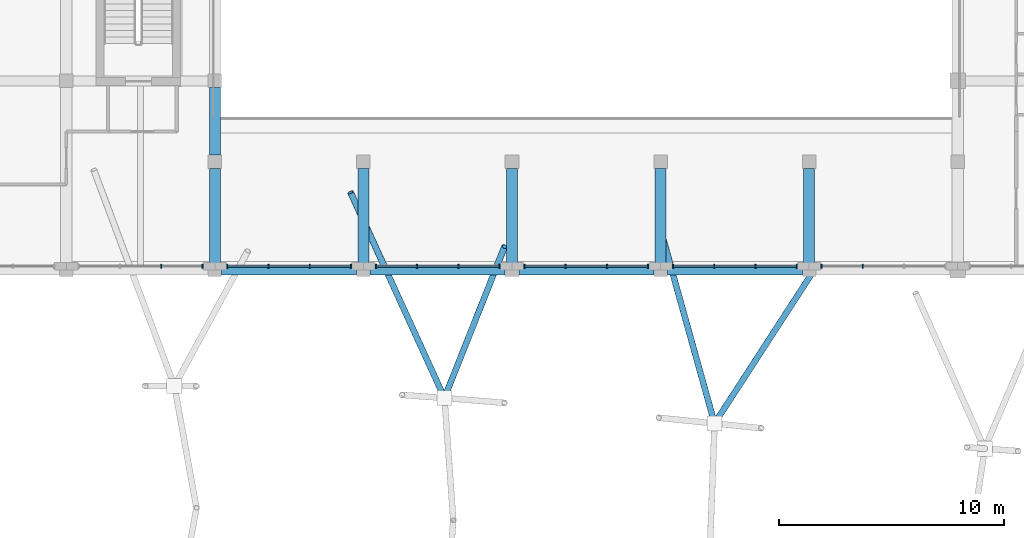
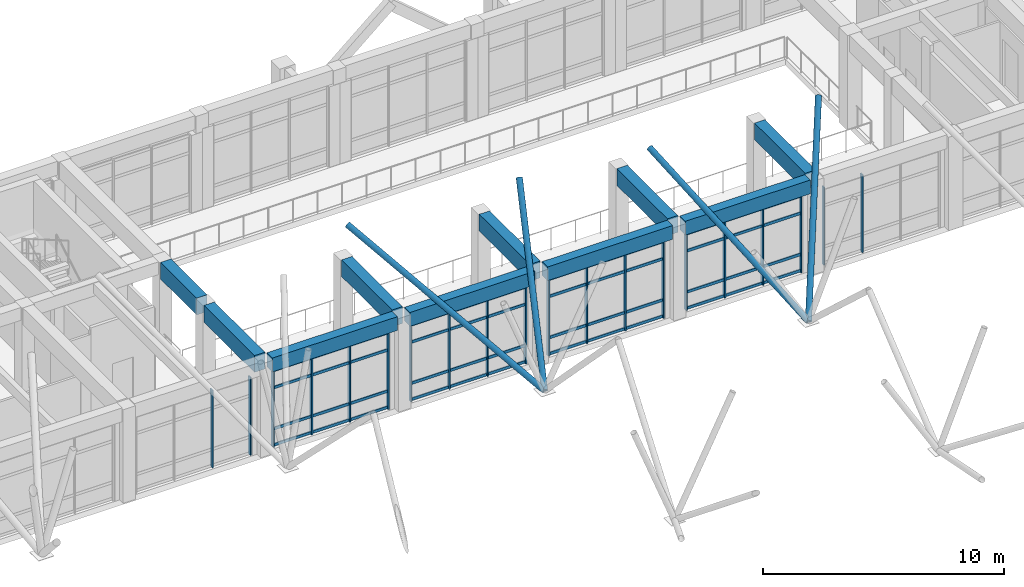
# One storey, part 19 of 75: 40 members, 10 beams, 6 elements without a shape of their own.
"""IFC4 building model written with IfcOpenShell, lengths in metres."""

from ifc_helpers import new_model, si_unit, direction, frame, origin, origin_2d, place, context, subcontext, project, spatial, rectangle, hollow_circle, extrude, material, layer, layer_set, material_profile, profile_set, type_object, element, aggregate, save


model = new_model("IFC4")

# Units and contexts
model_context = context("Model", 3, precision=1e-05, world=origin(), true_north=direction((0.0, 1.0)))
body_context = subcontext(model_context, "Body", "Model", "MODEL_VIEW")
ifc_project = project(units=[si_unit("LENGTHUNIT", "METRE"), si_unit("AREAUNIT", "SQUARE_METRE"), si_unit("VOLUMEUNIT", "CUBIC_METRE"), si_unit("PLANEANGLEUNIT", "RADIAN"), si_unit("MASSUNIT", "GRAM", prefix="KILO")], contexts=[model_context])

# Site, building, storey
site_placement = place(None, origin())
site = spatial("IfcSite", under=ifc_project, at=site_placement, CompositionType="ELEMENT")
building_placement = place(site_placement, origin())
building = spatial("IfcBuilding", under=site, at=building_placement, Name="Kolvaren Faculty of Natural Sciences", CompositionType="ELEMENT")
storey_placement = place(building_placement, frame((0.0, 0.0, 5.39990234375)))
storey = spatial("IfcBuildingStorey", under=building, at=storey_placement, Name="L01", CompositionType="ELEMENT", Elevation=5.39990234375)

# Curtain wall, members
ifc_material_1 = material(Name="Thermally broken anodised aluminium framing", Category="aluminium")
ifc_layer = layer(ifc_material_1, 0.179931640625)
ifc_layer_set = layer_set([ifc_layer], Name="Thermally broken anodised aluminium framing")
curtain_wall_type = type_object("IfcCurtainWallType", Name="AtriumCurtainWall_CW01", PredefinedType="NOTDEFINED", material=ifc_layer_set)
curtain_wall_1_placement = place(storey_placement, origin())
curtain_wall_1 = element("IfcCurtainWall", 1, at=curtain_wall_1_placement, inside=storey, type_object=curtain_wall_type, Name="L01 unitised curtain wall CW-01 (CW-L01-063)", PredefinedType="NOTDEFINED")
ifc_material_profile_1 = material_profile(ifc_material_1, rectangle(XDim=0.06005859375, YDim=0.179931640625, at=origin_2d()), Name="ALU MUL 60x180")
ifc_profile_set_1 = profile_set([ifc_material_profile_1], Name="Thermally broken anodised aluminium framing")
member_type_1 = type_object("IfcMemberType", Name="CurtainMullion_60x180", PredefinedType="MULLION", material=ifc_profile_set_1)
member_1_placement = place(storey_placement, frame((94.9833984375, 67.56005859375, 0.0), z_axis=(0.0, 0.0, 1.0), x_axis=(-1.0, 0.0, 0.0)))
member_1 = element("IfcMember", 2, at=member_1_placement, type_object=member_type_1, Name="CW-L01-063 vertical mullion 3", PredefinedType="MULLION", context=body_context, shape_type="SweptSolid", body=[
    extrude(rectangle(XDim=0.06005859375, YDim=0.179931640625, at=origin_2d()), origin(), (0.0, 0.0, 1.0), 3.93505859375),
])
member_2_placement = place(storey_placement, frame((93.14990234375, 67.56005859375, 0.0), z_axis=(0.0, 0.0, 1.0), x_axis=(-1.0, 0.0, 0.0)))
member_2 = element("IfcMember", 3, at=member_2_placement, type_object=member_type_1, Name="CW-L01-063 vertical mullion 4", PredefinedType="MULLION", context=body_context, shape_type="SweptSolid", body=[
    extrude(rectangle(XDim=0.06005859375, YDim=0.179931640625, at=origin_2d()), origin(), (0.0, 0.0, 1.0), 3.93505859375),
])
aggregate(curtain_wall_1, [member_1, member_2])

curtain_wall_2_placement = place(storey_placement, origin())
curtain_wall_2 = element("IfcCurtainWall", 4, at=curtain_wall_2_placement, inside=storey, type_object=curtain_wall_type, Name="L01 unitised curtain wall CW-01 (CW-L01-064)", PredefinedType="NOTDEFINED")
member_3_placement = place(storey_placement, frame((92.050048828125, 67.56005859375, 0.0), z_axis=(0.0, 0.0, 1.0), x_axis=(-1.0, 0.0, 0.0)))
member_3 = element("IfcMember", 5, at=member_3_placement, type_object=member_type_1, Name="CW-L01-064 vertical mullion 1", PredefinedType="MULLION", context=body_context, shape_type="SweptSolid", body=[
    extrude(rectangle(XDim=0.06005859375, YDim=0.179931640625, at=origin_2d()), origin(), (0.0, 0.0, 1.0), 3.93505859375),
])
member_4_placement = place(storey_placement, frame((90.216796875, 67.56005859375, 0.0), z_axis=(0.0, 0.0, 1.0), x_axis=(-1.0, 0.0, 0.0)))
member_4 = element("IfcMember", 6, at=member_4_placement, type_object=member_type_1, Name="CW-L01-064 vertical mullion 2", PredefinedType="MULLION", context=body_context, shape_type="SweptSolid", body=[
    extrude(rectangle(XDim=0.06005859375, YDim=0.179931640625, at=origin_2d()), origin(), (0.0, 0.0, 1.0), 3.93505859375),
])
member_5_placement = place(storey_placement, frame((88.38330078125, 67.56005859375, 0.0), z_axis=(0.0, 0.0, 1.0), x_axis=(-1.0, 0.0, 0.0)))
member_5 = element("IfcMember", 7, at=member_5_placement, type_object=member_type_1, Name="CW-L01-064 vertical mullion 3", PredefinedType="MULLION", context=body_context, shape_type="SweptSolid", body=[
    extrude(rectangle(XDim=0.06005859375, YDim=0.179931640625, at=origin_2d()), origin(), (0.0, 0.0, 1.0), 3.93505859375),
])
member_6_placement = place(storey_placement, frame((86.550048828125, 67.56005859375, 0.0), z_axis=(0.0, 0.0, 1.0), x_axis=(-1.0, 0.0, 0.0)))
member_6 = element("IfcMember", 8, at=member_6_placement, type_object=member_type_1, Name="CW-L01-064 vertical mullion 4", PredefinedType="MULLION", context=body_context, shape_type="SweptSolid", body=[
    extrude(rectangle(XDim=0.06005859375, YDim=0.179931640625, at=origin_2d()), origin(), (0.0, 0.0, 1.0), 3.93505859375),
])

curtain_wall_3_placement = place(storey_placement, origin())
curtain_wall_3 = element("IfcCurtainWall", 9, at=curtain_wall_3_placement, inside=storey, type_object=curtain_wall_type, Name="L01 unitised curtain wall CW-01 (CW-L01-065)", PredefinedType="NOTDEFINED")
member_7_placement = place(storey_placement, frame((85.449951171875, 67.56005859375, 0.0), z_axis=(0.0, 0.0, 1.0), x_axis=(-1.0, 0.0, 0.0)))
member_7 = element("IfcMember", 10, at=member_7_placement, type_object=member_type_1, Name="CW-L01-065 vertical mullion 1", PredefinedType="MULLION", context=body_context, shape_type="SweptSolid", body=[
    extrude(rectangle(XDim=0.06005859375, YDim=0.179931640625, at=origin_2d()), origin(), (0.0, 0.0, 1.0), 3.93505859375),
])
member_8_placement = place(storey_placement, frame((83.61669921875, 67.56005859375, 0.0), z_axis=(0.0, 0.0, 1.0), x_axis=(-1.0, 0.0, 0.0)))
member_8 = element("IfcMember", 11, at=member_8_placement, type_object=member_type_1, Name="CW-L01-065 vertical mullion 2", PredefinedType="MULLION", context=body_context, shape_type="SweptSolid", body=[
    extrude(rectangle(XDim=0.06005859375, YDim=0.179931640625, at=origin_2d()), origin(), (0.0, 0.0, 1.0), 3.93505859375),
])
member_9_placement = place(storey_placement, frame((81.783203125, 67.56005859375, 0.0), z_axis=(0.0, 0.0, 1.0), x_axis=(-1.0, 0.0, 0.0)))
member_9 = element("IfcMember", 12, at=member_9_placement, type_object=member_type_1, Name="CW-L01-065 vertical mullion 3", PredefinedType="MULLION", context=body_context, shape_type="SweptSolid", body=[
    extrude(rectangle(XDim=0.06005859375, YDim=0.179931640625, at=origin_2d()), origin(), (0.0, 0.0, 1.0), 3.93505859375),
])
member_10_placement = place(storey_placement, frame((79.949951171875, 67.56005859375, 0.0), z_axis=(0.0, 0.0, 1.0), x_axis=(-1.0, 0.0, 0.0)))
member_10 = element("IfcMember", 13, at=member_10_placement, type_object=member_type_1, Name="CW-L01-065 vertical mullion 4", PredefinedType="MULLION", context=body_context, shape_type="SweptSolid", body=[
    extrude(rectangle(XDim=0.06005859375, YDim=0.179931640625, at=origin_2d()), origin(), (0.0, 0.0, 1.0), 3.93505859375),
])

curtain_wall_4_placement = place(storey_placement, origin())
curtain_wall_4 = element("IfcCurtainWall", 14, at=curtain_wall_4_placement, inside=storey, type_object=curtain_wall_type, Name="L01 unitised curtain wall CW-01 (CW-L01-066)", PredefinedType="NOTDEFINED")
member_11_placement = place(storey_placement, frame((78.85009765625, 67.56005859375, 0.0), z_axis=(0.0, 0.0, 1.0), x_axis=(-1.0, 0.0, 0.0)))
member_11 = element("IfcMember", 15, at=member_11_placement, type_object=member_type_1, Name="CW-L01-066 vertical mullion 1", PredefinedType="MULLION", context=body_context, shape_type="SweptSolid", body=[
    extrude(rectangle(XDim=0.06005859375, YDim=0.179931640625, at=origin_2d()), origin(), (0.0, 0.0, 1.0), 3.93505859375),
])
member_12_placement = place(storey_placement, frame((77.0166015625, 67.56005859375, 0.0), z_axis=(0.0, 0.0, 1.0), x_axis=(-1.0, 0.0, 0.0)))
member_12 = element("IfcMember", 16, at=member_12_placement, type_object=member_type_1, Name="CW-L01-066 vertical mullion 2", PredefinedType="MULLION", context=body_context, shape_type="SweptSolid", body=[
    extrude(rectangle(XDim=0.06005859375, YDim=0.179931640625, at=origin_2d()), origin(), (0.0, 0.0, 1.0), 3.93505859375),
])
member_13_placement = place(storey_placement, frame((75.183349609375, 67.56005859375, 0.0), z_axis=(0.0, 0.0, 1.0), x_axis=(-1.0, 0.0, 0.0)))
member_13 = element("IfcMember", 17, at=member_13_placement, type_object=member_type_1, Name="CW-L01-066 vertical mullion 3", PredefinedType="MULLION", context=body_context, shape_type="SweptSolid", body=[
    extrude(rectangle(XDim=0.06005859375, YDim=0.179931640625, at=origin_2d()), origin(), (0.0, 0.0, 1.0), 3.93505859375),
])
member_14_placement = place(storey_placement, frame((73.35009765625, 67.56005859375, 0.0), z_axis=(0.0, 0.0, 1.0), x_axis=(-1.0, 0.0, 0.0)))
member_14 = element("IfcMember", 18, at=member_14_placement, type_object=member_type_1, Name="CW-L01-066 vertical mullion 4", PredefinedType="MULLION", context=body_context, shape_type="SweptSolid", body=[
    extrude(rectangle(XDim=0.06005859375, YDim=0.179931640625, at=origin_2d()), origin(), (0.0, 0.0, 1.0), 3.93505859375),
])

curtain_wall_5_placement = place(storey_placement, origin())
curtain_wall_5 = element("IfcCurtainWall", 19, at=curtain_wall_5_placement, inside=storey, type_object=curtain_wall_type, Name="L01 unitised curtain wall CW-01 (CW-L01-067)", PredefinedType="NOTDEFINED")
member_15_placement = place(storey_placement, frame((72.25, 67.56005859375, 0.0), z_axis=(0.0, 0.0, 1.0), x_axis=(-1.0, 0.0, 0.0)))
member_15 = element("IfcMember", 20, at=member_15_placement, type_object=member_type_1, Name="CW-L01-067 vertical mullion 1", PredefinedType="MULLION", context=body_context, shape_type="SweptSolid", body=[
    extrude(rectangle(XDim=0.06005859375, YDim=0.179931640625, at=origin_2d()), origin(), (0.0, 0.0, 1.0), 3.93505859375),
])
member_16_placement = place(storey_placement, frame((70.416748046875, 67.56005859375, 0.0), z_axis=(0.0, 0.0, 1.0), x_axis=(-1.0, 0.0, 0.0)))
member_16 = element("IfcMember", 21, at=member_16_placement, type_object=member_type_1, Name="CW-L01-067 vertical mullion 2", PredefinedType="MULLION", context=body_context, shape_type="SweptSolid", body=[
    extrude(rectangle(XDim=0.06005859375, YDim=0.179931640625, at=origin_2d()), origin(), (0.0, 0.0, 1.0), 3.93505859375),
])
member_17_placement = place(storey_placement, frame((68.583251953125, 67.56005859375, 0.0), z_axis=(0.0, 0.0, 1.0), x_axis=(-1.0, 0.0, 0.0)))
member_17 = element("IfcMember", 22, at=member_17_placement, type_object=member_type_1, Name="CW-L01-067 vertical mullion 3", PredefinedType="MULLION", context=body_context, shape_type="SweptSolid", body=[
    extrude(rectangle(XDim=0.06005859375, YDim=0.179931640625, at=origin_2d()), origin(), (0.0, 0.0, 1.0), 3.93505859375),
])
member_18_placement = place(storey_placement, frame((66.75, 67.56005859375, 0.0), z_axis=(0.0, 0.0, 1.0), x_axis=(-1.0, 0.0, 0.0)))
member_18 = element("IfcMember", 23, at=member_18_placement, type_object=member_type_1, Name="CW-L01-067 vertical mullion 4", PredefinedType="MULLION", context=body_context, shape_type="SweptSolid", body=[
    extrude(rectangle(XDim=0.06005859375, YDim=0.179931640625, at=origin_2d()), origin(), (0.0, 0.0, 1.0), 3.93505859375),
])

curtain_wall_6_placement = place(storey_placement, origin())
curtain_wall_6 = element("IfcCurtainWall", 24, at=curtain_wall_6_placement, inside=storey, type_object=curtain_wall_type, Name="L01 unitised curtain wall CW-01 (CW-L01-068)", PredefinedType="NOTDEFINED")
member_19_placement = place(storey_placement, frame((65.64990234375, 67.56005859375, 0.0), z_axis=(0.0, 0.0, 1.0), x_axis=(-1.0, 0.0, 0.0)))
member_19 = element("IfcMember", 25, at=member_19_placement, type_object=member_type_1, Name="CW-L01-068 vertical mullion 1", PredefinedType="MULLION", context=body_context, shape_type="SweptSolid", body=[
    extrude(rectangle(XDim=0.06005859375, YDim=0.179931640625, at=origin_2d()), origin(), (0.0, 0.0, 1.0), 3.93505859375),
])
member_20_placement = place(storey_placement, frame((63.816650390625, 67.56005859375, 0.0), z_axis=(0.0, 0.0, 1.0), x_axis=(-1.0, 0.0, 0.0)))
member_20 = element("IfcMember", 26, at=member_20_placement, type_object=member_type_1, Name="CW-L01-068 vertical mullion 2", PredefinedType="MULLION", context=body_context, shape_type="SweptSolid", body=[
    extrude(rectangle(XDim=0.06005859375, YDim=0.179931640625, at=origin_2d()), origin(), (0.0, 0.0, 1.0), 3.93505859375),
])
aggregate(curtain_wall_6, [member_19, member_20])

# Member
ifc_material_profile_2 = material_profile(ifc_material_1, rectangle(XDim=0.06005859375, YDim=0.139892578125, at=origin_2d()), Name="ALU TRN 60x140")
ifc_profile_set_2 = profile_set([ifc_material_profile_2], Name="Thermally broken anodised aluminium framing")
member_type_2 = type_object("IfcMemberType", Name="CurtainTransom_60x140", PredefinedType="USERDEFINED", material=ifc_profile_set_2)
member_21_placement = place(storey_placement, frame((92.050048828125, 67.56005859375, 0.080078125), z_axis=(-1.0, 0.0, 0.0), x_axis=(0.0, -1.0, 0.0)))
member_21 = element("IfcMember", 27, at=member_21_placement, type_object=member_type_2, Name="CW-L01-064 horizontal transom 1", ObjectType="TRANSOM", PredefinedType="USERDEFINED", context=body_context, shape_type="SweptSolid", body=[
    extrude(rectangle(XDim=0.06005859375, YDim=0.139892578125, at=origin_2d()), origin(), (0.0, 0.0, 1.0), 5.5),
])

member_22_placement = place(storey_placement, frame((92.050048828125, 67.56005859375, 0.900146484375), z_axis=(-1.0, 0.0, 0.0), x_axis=(0.0, -1.0, 0.0)))
member_22 = element("IfcMember", 28, at=member_22_placement, type_object=member_type_2, Name="CW-L01-064 horizontal transom 2", ObjectType="TRANSOM", PredefinedType="USERDEFINED", context=body_context, shape_type="SweptSolid", body=[
    extrude(rectangle(XDim=0.06005859375, YDim=0.139892578125, at=origin_2d()), origin(), (0.0, 0.0, 1.0), 5.5),
])

member_23_placement = place(storey_placement, frame((92.050048828125, 67.56005859375, 2.985107421875), z_axis=(-1.0, 0.0, 0.0), x_axis=(0.0, -1.0, 0.0)))
member_23 = element("IfcMember", 29, at=member_23_placement, type_object=member_type_2, Name="CW-L01-064 horizontal transom 3", ObjectType="TRANSOM", PredefinedType="USERDEFINED", context=body_context, shape_type="SweptSolid", body=[
    extrude(rectangle(XDim=0.06005859375, YDim=0.139892578125, at=origin_2d()), origin(), (0.0, 0.0, 1.0), 5.5),
])

member_24_placement = place(storey_placement, frame((92.050048828125, 67.56005859375, 3.85498046875), z_axis=(-1.0, 0.0, 0.0), x_axis=(0.0, -1.0, 0.0)))
member_24 = element("IfcMember", 30, at=member_24_placement, type_object=member_type_2, Name="CW-L01-064 horizontal transom 4", ObjectType="TRANSOM", PredefinedType="USERDEFINED", context=body_context, shape_type="SweptSolid", body=[
    extrude(rectangle(XDim=0.06005859375, YDim=0.139892578125, at=origin_2d()), origin(), (0.0, 0.0, 1.0), 5.5),
])

aggregate(curtain_wall_2, [member_3, member_4, member_5, member_6, member_21, member_22, member_23, member_24])

member_25_placement = place(storey_placement, frame((85.449951171875, 67.56005859375, 0.080078125), z_axis=(-1.0, 0.0, 0.0), x_axis=(0.0, -1.0, 0.0)))
member_25 = element("IfcMember", 31, at=member_25_placement, type_object=member_type_2, Name="CW-L01-065 horizontal transom 1", ObjectType="TRANSOM", PredefinedType="USERDEFINED", context=body_context, shape_type="SweptSolid", body=[
    extrude(rectangle(XDim=0.06005859375, YDim=0.139892578125, at=origin_2d()), origin(), (0.0, 0.0, 1.0), 5.5),
])

member_26_placement = place(storey_placement, frame((85.449951171875, 67.56005859375, 0.900146484375), z_axis=(-1.0, 0.0, 0.0), x_axis=(0.0, -1.0, 0.0)))
member_26 = element("IfcMember", 32, at=member_26_placement, type_object=member_type_2, Name="CW-L01-065 horizontal transom 2", ObjectType="TRANSOM", PredefinedType="USERDEFINED", context=body_context, shape_type="SweptSolid", body=[
    extrude(rectangle(XDim=0.06005859375, YDim=0.139892578125, at=origin_2d()), origin(), (0.0, 0.0, 1.0), 5.5),
])

member_27_placement = place(storey_placement, frame((85.449951171875, 67.56005859375, 2.985107421875), z_axis=(-1.0, 0.0, 0.0), x_axis=(0.0, -1.0, 0.0)))
member_27 = element("IfcMember", 33, at=member_27_placement, type_object=member_type_2, Name="CW-L01-065 horizontal transom 3", ObjectType="TRANSOM", PredefinedType="USERDEFINED", context=body_context, shape_type="SweptSolid", body=[
    extrude(rectangle(XDim=0.06005859375, YDim=0.139892578125, at=origin_2d()), origin(), (0.0, 0.0, 1.0), 5.5),
])

member_28_placement = place(storey_placement, frame((85.449951171875, 67.56005859375, 3.85498046875), z_axis=(-1.0, 0.0, 0.0), x_axis=(0.0, -1.0, 0.0)))
member_28 = element("IfcMember", 34, at=member_28_placement, type_object=member_type_2, Name="CW-L01-065 horizontal transom 4", ObjectType="TRANSOM", PredefinedType="USERDEFINED", context=body_context, shape_type="SweptSolid", body=[
    extrude(rectangle(XDim=0.06005859375, YDim=0.139892578125, at=origin_2d()), origin(), (0.0, 0.0, 1.0), 5.5),
])

aggregate(curtain_wall_3, [member_7, member_8, member_9, member_10, member_25, member_26, member_27, member_28])

member_29_placement = place(storey_placement, frame((78.85009765625, 67.56005859375, 0.080078125), z_axis=(-1.0, 0.0, 0.0), x_axis=(0.0, -1.0, 0.0)))
member_29 = element("IfcMember", 35, at=member_29_placement, type_object=member_type_2, Name="CW-L01-066 horizontal transom 1", ObjectType="TRANSOM", PredefinedType="USERDEFINED", context=body_context, shape_type="SweptSolid", body=[
    extrude(rectangle(XDim=0.06005859375, YDim=0.139892578125, at=origin_2d()), origin(), (0.0, 0.0, 1.0), 5.5),
])

member_30_placement = place(storey_placement, frame((78.85009765625, 67.56005859375, 0.900146484375), z_axis=(-1.0, 0.0, 0.0), x_axis=(0.0, -1.0, 0.0)))
member_30 = element("IfcMember", 36, at=member_30_placement, type_object=member_type_2, Name="CW-L01-066 horizontal transom 2", ObjectType="TRANSOM", PredefinedType="USERDEFINED", context=body_context, shape_type="SweptSolid", body=[
    extrude(rectangle(XDim=0.06005859375, YDim=0.139892578125, at=origin_2d()), origin(), (0.0, 0.0, 1.0), 5.5),
])

member_31_placement = place(storey_placement, frame((78.85009765625, 67.56005859375, 2.985107421875), z_axis=(-1.0, 0.0, 0.0), x_axis=(0.0, -1.0, 0.0)))
member_31 = element("IfcMember", 37, at=member_31_placement, type_object=member_type_2, Name="CW-L01-066 horizontal transom 3", ObjectType="TRANSOM", PredefinedType="USERDEFINED", context=body_context, shape_type="SweptSolid", body=[
    extrude(rectangle(XDim=0.06005859375, YDim=0.139892578125, at=origin_2d()), origin(), (0.0, 0.0, 1.0), 5.5),
])

member_32_placement = place(storey_placement, frame((78.85009765625, 67.56005859375, 3.85498046875), z_axis=(-1.0, 0.0, 0.0), x_axis=(0.0, -1.0, 0.0)))
member_32 = element("IfcMember", 38, at=member_32_placement, type_object=member_type_2, Name="CW-L01-066 horizontal transom 4", ObjectType="TRANSOM", PredefinedType="USERDEFINED", context=body_context, shape_type="SweptSolid", body=[
    extrude(rectangle(XDim=0.06005859375, YDim=0.139892578125, at=origin_2d()), origin(), (0.0, 0.0, 1.0), 5.5),
])

aggregate(curtain_wall_4, [member_11, member_12, member_13, member_14, member_29, member_30, member_31, member_32])

member_33_placement = place(storey_placement, frame((72.25, 67.56005859375, 0.080078125), z_axis=(-1.0, 0.0, 0.0), x_axis=(0.0, -1.0, 0.0)))
member_33 = element("IfcMember", 39, at=member_33_placement, type_object=member_type_2, Name="CW-L01-067 horizontal transom 1", ObjectType="TRANSOM", PredefinedType="USERDEFINED", context=body_context, shape_type="SweptSolid", body=[
    extrude(rectangle(XDim=0.06005859375, YDim=0.139892578125, at=origin_2d()), origin(), (0.0, 0.0, 1.0), 5.5),
])

member_34_placement = place(storey_placement, frame((72.25, 67.56005859375, 0.900146484375), z_axis=(-1.0, 0.0, 0.0), x_axis=(0.0, -1.0, 0.0)))
member_34 = element("IfcMember", 40, at=member_34_placement, type_object=member_type_2, Name="CW-L01-067 horizontal transom 2", ObjectType="TRANSOM", PredefinedType="USERDEFINED", context=body_context, shape_type="SweptSolid", body=[
    extrude(rectangle(XDim=0.06005859375, YDim=0.139892578125, at=origin_2d()), origin(), (0.0, 0.0, 1.0), 5.5),
])

member_35_placement = place(storey_placement, frame((72.25, 67.56005859375, 2.985107421875), z_axis=(-1.0, 0.0, 0.0), x_axis=(0.0, -1.0, 0.0)))
member_35 = element("IfcMember", 41, at=member_35_placement, type_object=member_type_2, Name="CW-L01-067 horizontal transom 3", ObjectType="TRANSOM", PredefinedType="USERDEFINED", context=body_context, shape_type="SweptSolid", body=[
    extrude(rectangle(XDim=0.06005859375, YDim=0.139892578125, at=origin_2d()), origin(), (0.0, 0.0, 1.0), 5.5),
])

member_36_placement = place(storey_placement, frame((72.25, 67.56005859375, 3.85498046875), z_axis=(-1.0, 0.0, 0.0), x_axis=(0.0, -1.0, 0.0)))
member_36 = element("IfcMember", 42, at=member_36_placement, type_object=member_type_2, Name="CW-L01-067 horizontal transom 4", ObjectType="TRANSOM", PredefinedType="USERDEFINED", context=body_context, shape_type="SweptSolid", body=[
    extrude(rectangle(XDim=0.06005859375, YDim=0.139892578125, at=origin_2d()), origin(), (0.0, 0.0, 1.0), 5.5),
])

aggregate(curtain_wall_5, [member_15, member_16, member_17, member_18, member_33, member_34, member_35, member_36])

# Beams
ifc_material_2 = material(Name="Concrete C35/45", Category="concrete")
ifc_material_profile_3 = material_profile(ifc_material_2, rectangle(XDim=0.449951171875, YDim=0.699951171875, at=origin_2d()), Name="RC SP 450x700")
ifc_profile_set_3 = profile_set([ifc_material_profile_3], Name="Concrete C35/45")
beam_type_1 = type_object("IfcBeamType", Name="PerimeterSpandrel_450x700", PredefinedType="SPANDREL", material=ifc_profile_set_3)
for number, where, z_axis, x_axis, name in (
    (43, (66.5, 67.39990234375, 4.4501953125), (1.0, 0.0, 0.0), (0.0, 1.0, 0.0), "L01 spandrel SP-70 on grid J"),
    (44, (73.10009765625, 67.39990234375, 4.4501953125), (1.0, 0.0, 0.0), (0.0, 1.0, 0.0), "L01 spandrel SP-70 on grid J"),
    (45, (79.699951171875, 67.39990234375, 4.4501953125), (1.0, 0.0, 0.0), (0.0, 1.0, 0.0), "L01 spandrel SP-70 on grid J"),
    (46, (86.300048828125, 67.39990234375, 4.4501953125), (1.0, 0.0, 0.0), (0.0, 1.0, 0.0), "L01 spandrel SP-70 on grid J"),
):
    element("IfcBeam", number, at=place(storey_placement, frame(where, z_axis=z_axis, x_axis=x_axis)), inside=storey, type_object=beam_type_1, Name=name, PredefinedType="SPANDREL", context=body_context, shape_type="SweptSolid", body=[
        extrude(rectangle(XDim=0.449951171875, YDim=0.699951171875, at=origin_2d()), origin(), (0.0, 0.0, 1.0), 6.0),
    ])
ifc_material_profile_4 = material_profile(ifc_material_2, rectangle(XDim=0.5, YDim=0.85009765625, at=origin_2d()), Name="RC BM 500x850")
ifc_profile_set_4 = profile_set([ifc_material_profile_4], Name="Concrete C35/45")
beam_type_2 = type_object("IfcBeamType", Name="PrimaryGirder_500x850", PredefinedType="BEAM", material=ifc_profile_set_4)
beam_1_placement = place(storey_placement, frame((66.199951171875, 67.699951171875, 4.375), z_axis=(0.0, 1.0, 0.0), x_axis=(-1.0, 0.0, 0.0)))
element("IfcBeam", 47, at=beam_1_placement, inside=storey, type_object=beam_type_2, Name="L01 girder BG-85 on grid 11", PredefinedType="BEAM", context=body_context, shape_type="SweptSolid", body=[
    extrude(rectangle(XDim=0.5, YDim=0.85009765625, at=origin_2d()), origin(), (0.0, 0.0, 1.0), 4.199951171875),
])
beam_2_placement = place(storey_placement, frame((66.199951171875, 72.5, 4.375), z_axis=(0.0, 1.0, 0.0), x_axis=(-1.0, 0.0, 0.0)))
element("IfcBeam", 48, at=beam_2_placement, inside=storey, type_object=beam_type_2, Name="L01 girder BG-85 on grid 11", PredefinedType="BEAM", context=body_context, shape_type="SweptSolid", body=[
    extrude(rectangle(XDim=0.5, YDim=0.85009765625, at=origin_2d()), origin(), (0.0, 0.0, 1.0), 3.0),
])
for number, where, z_axis, x_axis, name in (
    (49, (72.800048828125, 67.699951171875, 4.375), (0.0, 1.0, 0.0), (-1.0, 0.0, 0.0), "L01 girder BG-85 on grid 12"),
    (50, (79.39990234375, 67.699951171875, 4.375), (0.0, 1.0, 0.0), (-1.0, 0.0, 0.0), "L01 girder BG-85 on grid 13"),
    (51, (86.0, 67.699951171875, 4.375), (0.0, 1.0, 0.0), (-1.0, 0.0, 0.0), "L01 girder BG-85 on grid 14"),
    (52, (92.60009765625, 67.699951171875, 4.375), (0.0, 1.0, 0.0), (-1.0, 0.0, 0.0), "L01 girder BG-85 on grid 15"),
):
    element("IfcBeam", number, at=place(storey_placement, frame(where, z_axis=z_axis, x_axis=x_axis)), inside=storey, type_object=beam_type_2, Name=name, PredefinedType="BEAM", context=body_context, shape_type="SweptSolid", body=[
        extrude(rectangle(XDim=0.5, YDim=0.85009765625, at=origin_2d()), origin(), (0.0, 0.0, 1.0), 4.199951171875),
    ])

# Members
ifc_material_3 = material(Name="Structural steel EN 10210-1 S355J2H (white architectural finish)", Category="steel")
ifc_material_profile_5 = material_profile(ifc_material_3, hollow_circle(Radius=0.136474609375, WallThickness=0.012451171875, at=origin_2d()), Name="CHS 273x12.5")
ifc_profile_set_5 = profile_set([ifc_material_profile_5], Name="Structural steel EN 10210-1 S355J2H (white architectural finish)")
member_type_3 = type_object("IfcMemberType", Name="TreeBranchPrimary_CHS273", PredefinedType="STRUT", material=ifc_profile_set_5)
member_37_placement = place(storey_placement, frame((76.39990234375, 61.710693359375, 3.0), z_axis=(-0.381376184218, 0.835140428912, 0.396349176998), x_axis=(-0.90964009114, -0.415397285247, 0.0)))
element("IfcMember", 53, at=member_37_placement, inside=storey, type_object=member_type_3, Name="Covered street canopy tree TREE-06 inclined branch 1", PredefinedType="STRUT", context=body_context, shape_type="SweptSolid", body=[
    extrude(hollow_circle(Radius=0.136474609375, WallThickness=0.012451171875, at=origin_2d()), origin(), (0.0, 0.0, 1.0), 10.94091796875),
])
member_38_placement = place(storey_placement, frame((76.39990234375, 61.710693359375, 3.0), z_axis=(0.288635874038, 0.726467072443, 0.623646474275), x_axis=(-0.929334806326, 0.369238158579, 0.0)))
element("IfcMember", 54, at=member_38_placement, inside=storey, type_object=member_type_3, Name="Covered street canopy tree TREE-06 inclined branch 5", PredefinedType="STRUT", context=body_context, shape_type="SweptSolid", body=[
    extrude(hollow_circle(Radius=0.136474609375, WallThickness=0.012451171875, at=origin_2d()), origin(), (0.0, 0.0, 1.0), 9.26025390625),
])
member_39_placement = place(storey_placement, frame((88.39990234375, 60.579345703125, 3.0), z_axis=(-0.243750351709, 0.874120174211, 0.420118658332), x_axis=(-0.963250536032, -0.268604551032, 0.0)))
element("IfcMember", 55, at=member_39_placement, inside=storey, type_object=member_type_3, Name="Covered street canopy tree TREE-08 inclined branch 1", PredefinedType="STRUT", context=body_context, shape_type="SweptSolid", body=[
    extrude(hollow_circle(Radius=0.136474609375, WallThickness=0.012451171875, at=origin_2d()), origin(), (0.0, 0.0, 1.0), 10.181396484375),
])
member_40_placement = place(storey_placement, frame((88.39990234375, 60.579345703125, 3.0), z_axis=(0.440294587122, 0.678571947603, 0.587946246248), x_axis=(-0.838882367182, 0.544312753875, 0.0)))
element("IfcMember", 56, at=member_40_placement, inside=storey, type_object=member_type_3, Name="Covered street canopy tree TREE-08 inclined branch 5", PredefinedType="STRUT", context=body_context, shape_type="SweptSolid", body=[
    extrude(hollow_circle(Radius=0.136474609375, WallThickness=0.012451171875, at=origin_2d()), origin(), (0.0, 0.0, 1.0), 9.9111328125),
])

save(model, "model.ifc")
